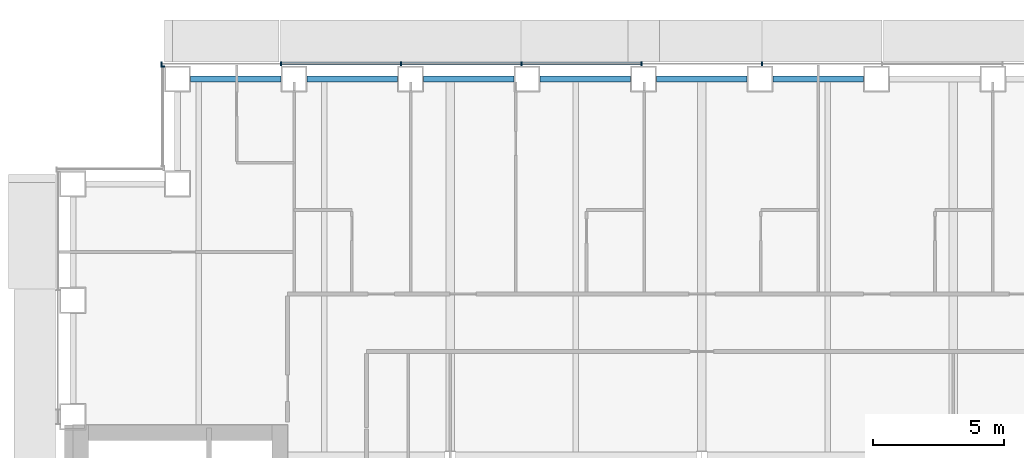
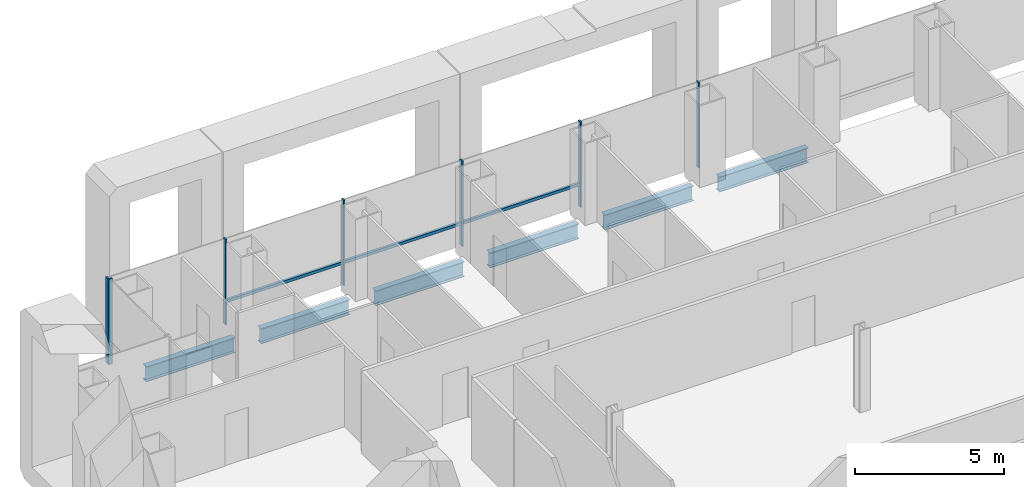
# One storey, part 8 of 25: 10 members, 6 beams, 2 elements without a shape of their own.
"""IFC4 building model written with IfcOpenShell, lengths in metres."""

from ifc_helpers import new_model, si_unit, direction, frame, origin, origin_2d, place, context, subcontext, project, spatial, rectangle, i_section, extrude, material, material_profile, profile_set, type_object, element, aggregate, save


model = new_model("IFC4")

# Units and contexts
model_context = context("Model", 3, precision=1e-05, world=origin(), true_north=direction((0.0, 1.0)))
body_context = subcontext(model_context, "Body", "Model", "MODEL_VIEW")
ifc_project = project(units=[si_unit("LENGTHUNIT", "METRE"), si_unit("AREAUNIT", "SQUARE_METRE"), si_unit("VOLUMEUNIT", "CUBIC_METRE"), si_unit("PLANEANGLEUNIT", "RADIAN"), si_unit("MASSUNIT", "GRAM", prefix="KILO")], contexts=[model_context])

# Site, building, storey
site_placement = place(None, origin())
site = spatial("IfcSite", under=ifc_project, at=site_placement, CompositionType="ELEMENT")
building_placement = place(site_placement, origin())
building = spatial("IfcBuilding", under=site, at=building_placement, Name="Cobrizo Arcos Hotel Tower", CompositionType="ELEMENT")
storey_placement = place(building_placement, frame((0.0, 0.0, 46.0)))
storey = spatial("IfcBuildingStorey", under=building, at=storey_placement, Name="L09", CompositionType="ELEMENT", Elevation=46.0)

# Curtain wall, members
ifc_material_1 = material(Name="Aluminium 6063-T6 anodised bronze", Category="aluminium")
curtain_wall_type = type_object("IfcCurtainWallType", Name="CW-A guest facade", PredefinedType="NOTDEFINED", material=ifc_material_1)
curtain_wall_1_placement = place(storey_placement, origin())
curtain_wall_1 = element("IfcCurtainWall", 1, at=curtain_wall_1_placement, inside=storey, type_object=curtain_wall_type, Name="CW-A L09 N face", PredefinedType="NOTDEFINED")
ifc_material_profile_1 = material_profile(ifc_material_1, rectangle(XDim=0.14990234375, YDim=0.06005859375, at=origin_2d()), Name="CW-A mullion 150x60")
ifc_profile_set_1 = profile_set([ifc_material_profile_1], Name="Aluminium 6063-T6 anodised bronze")
member_type_1 = type_object("IfcMemberType", Name="CW-A mullion 150x60", PredefinedType="MULLION", material=ifc_profile_set_1)
member_1_placement = place(storey_placement, frame((2.29443359375, 24.574951171875, 0.0), z_axis=(0.0, 0.0, 1.0), x_axis=(0.0, 1.0, 0.0)))
member_1 = element("IfcMember", 2, at=member_1_placement, type_object=member_type_1, Name="CW-A mullion 5", PredefinedType="MULLION", context=body_context, shape_type="SweptSolid", body=[
    extrude(rectangle(XDim=0.14990234375, YDim=0.06005859375, at=origin_2d()), origin(), (0.0, 0.0, 1.0), 3.5),
])
member_2_placement = place(storey_placement, frame((-2.29443359375, 24.574951171875, 0.0), z_axis=(0.0, 0.0, 1.0), x_axis=(0.0, 1.0, 0.0)))
member_2 = element("IfcMember", 3, at=member_2_placement, type_object=member_type_1, Name="CW-A mullion 6", PredefinedType="MULLION", context=body_context, shape_type="SweptSolid", body=[
    extrude(rectangle(XDim=0.14990234375, YDim=0.06005859375, at=origin_2d()), origin(), (0.0, 0.0, 1.0), 3.5),
])
member_3_placement = place(storey_placement, frame((-6.88330078125, 24.574951171875, 0.0), z_axis=(0.0, 0.0, 1.0), x_axis=(0.0, 1.0, 0.0)))
member_3 = element("IfcMember", 4, at=member_3_placement, type_object=member_type_1, Name="CW-A mullion 7", PredefinedType="MULLION", context=body_context, shape_type="SweptSolid", body=[
    extrude(rectangle(XDim=0.14990234375, YDim=0.06005859375, at=origin_2d()), origin(), (0.0, 0.0, 1.0), 3.5),
])
member_4_placement = place(storey_placement, frame((-11.47216796875, 24.574951171875, 0.0), z_axis=(0.0, 0.0, 1.0), x_axis=(0.0, 1.0, 0.0)))
member_4 = element("IfcMember", 5, at=member_4_placement, type_object=member_type_1, Name="CW-A mullion 8", PredefinedType="MULLION", context=body_context, shape_type="SweptSolid", body=[
    extrude(rectangle(XDim=0.14990234375, YDim=0.06005859375, at=origin_2d()), origin(), (0.0, 0.0, 1.0), 3.5),
])
member_5_placement = place(storey_placement, frame((-16.06103515625, 24.574951171875, 0.0), z_axis=(0.0, 0.0, 1.0), x_axis=(0.0, 1.0, 0.0)))
member_5 = element("IfcMember", 6, at=member_5_placement, type_object=member_type_1, Name="CW-A mullion 9", PredefinedType="MULLION", context=body_context, shape_type="SweptSolid", body=[
    extrude(rectangle(XDim=0.14990234375, YDim=0.06005859375, at=origin_2d()), origin(), (0.0, 0.0, 1.0), 3.5),
])
member_6_placement = place(storey_placement, frame((-20.6201171875, 24.574951171875, 0.0), z_axis=(0.0, 0.0, 1.0), x_axis=(0.0, 1.0, 0.0)))
member_6 = element("IfcMember", 7, at=member_6_placement, type_object=member_type_1, Name="CW-A mullion 10", PredefinedType="MULLION", context=body_context, shape_type="SweptSolid", body=[
    extrude(rectangle(XDim=0.14990234375, YDim=0.06005859375, at=origin_2d()), origin(), (0.0, 0.0, 1.0), 3.5),
])

# Curtain wall, member
curtain_wall_2_placement = place(storey_placement, origin())
curtain_wall_2 = element("IfcCurtainWall", 8, at=curtain_wall_2_placement, inside=storey, type_object=curtain_wall_type, Name="CW-A L09 W face", PredefinedType="NOTDEFINED")
member_7_placement = place(storey_placement, frame((-20.574951171875, 24.469970703125, 0.0), z_axis=(0.0, 0.0, 1.0), x_axis=(-1.0, 0.0, 0.0)))
member_7 = element("IfcMember", 9, at=member_7_placement, type_object=member_type_1, Name="CW-A mullion 1", PredefinedType="MULLION", context=body_context, shape_type="SweptSolid", body=[
    extrude(rectangle(XDim=0.14990234375, YDim=0.06005859375, at=origin_2d()), origin(), (0.0, 0.0, 1.0), 3.5),
])
aggregate(curtain_wall_2, [member_7])

# Member
ifc_material_profile_2 = material_profile(ifc_material_1, rectangle(XDim=0.10009765625, YDim=0.1201171875, at=origin_2d()), Name="CW-A transom 120x100")
ifc_profile_set_2 = profile_set([ifc_material_profile_2], Name="Aluminium 6063-T6 anodised bronze")
member_type_2 = type_object("IfcMemberType", Name="CW-A transom 120x100", PredefinedType="USERDEFINED", material=ifc_profile_set_2)
member_8_placement = place(storey_placement, frame((-2.324462890625, 24.574951171875, 0.929931640625), z_axis=(-1.0, 0.0, 0.0), x_axis=(0.0, -1.0, 0.0)))
member_8 = element("IfcMember", 10, at=member_8_placement, type_object=member_type_2, Name="CW-A transom 461", ObjectType="TRANSOM", PredefinedType="USERDEFINED", context=body_context, shape_type="SweptSolid", body=[
    extrude(rectangle(XDim=0.10009765625, YDim=0.1201171875, at=origin_2d()), origin(), (0.0, 0.0, 1.0), 4.52880859375),
])

member_9_placement = place(storey_placement, frame((-6.913330078125, 24.574951171875, 0.929931640625), z_axis=(-1.0, 0.0, 0.0), x_axis=(0.0, -1.0, 0.0)))
member_9 = element("IfcMember", 11, at=member_9_placement, type_object=member_type_2, Name="CW-A transom 462", ObjectType="TRANSOM", PredefinedType="USERDEFINED", context=body_context, shape_type="SweptSolid", body=[
    extrude(rectangle(XDim=0.10009765625, YDim=0.1201171875, at=origin_2d()), origin(), (0.0, 0.0, 1.0), 4.52880859375),
])

member_10_placement = place(storey_placement, frame((-11.502197265625, 24.574951171875, 0.929931640625), z_axis=(-1.0, 0.0, 0.0), x_axis=(0.0, -1.0, 0.0)))
member_10 = element("IfcMember", 12, at=member_10_placement, type_object=member_type_2, Name="CW-A transom 463", ObjectType="TRANSOM", PredefinedType="USERDEFINED", context=body_context, shape_type="SweptSolid", body=[
    extrude(rectangle(XDim=0.10009765625, YDim=0.1201171875, at=origin_2d()), origin(), (0.0, 0.0, 1.0), 4.52880859375),
])

aggregate(curtain_wall_1, [member_1, member_2, member_3, member_4, member_5, member_6, member_8, member_9, member_10])

# Beams
ifc_material_2 = material(Name="Steel ASTM A992 Grade 50", Category="steel")
ifc_material_profile_3 = material_profile(ifc_material_2, i_section(OverallWidth=0.23046875, OverallDepth=0.6171875, WebThickness=0.01318359375, FlangeThickness=0.022216796875, at=origin_2d()), Name="W24X94")
ifc_profile_set_3 = profile_set([ifc_material_profile_3], Name="Steel ASTM A992 Grade 50")
beam_type = type_object("IfcBeamType", Name="W24X94 spandrel", PredefinedType="SPANDREL", material=ifc_profile_set_3)
beam_1_placement = place(storey_placement, frame((6.1669921875, 24.0, -0.45849609375), z_axis=(-1.0, 0.0, 0.0), x_axis=(0.0, -1.0, 0.0)))
element("IfcBeam", 13, at=beam_1_placement, inside=storey, type_object=beam_type, Name="Spandrel beam W24X94, L09, no. 021", PredefinedType="SPANDREL", context=body_context, shape_type="SweptSolid", body=[
    extrude(i_section(OverallWidth=0.23046875, OverallDepth=0.6171875, WebThickness=0.01318359375, FlangeThickness=0.022216796875, at=origin_2d()), origin(), (0.0, 0.0, 1.0), 3.445068359375),
])
beam_2_placement = place(storey_placement, frame((1.721923828125, 24.0, -0.45849609375), z_axis=(-1.0, 0.0, 0.0), x_axis=(0.0, -1.0, 0.0)))
element("IfcBeam", 14, at=beam_2_placement, inside=storey, type_object=beam_type, Name="Spandrel beam W24X94, L09, no. 022", PredefinedType="SPANDREL", context=body_context, shape_type="SweptSolid", body=[
    extrude(i_section(OverallWidth=0.23046875, OverallDepth=0.6171875, WebThickness=0.01318359375, FlangeThickness=0.022216796875, at=origin_2d()), origin(), (0.0, 0.0, 1.0), 3.44384765625),
])
beam_3_placement = place(storey_placement, frame((-2.721923828125, 24.0, -0.45849609375), z_axis=(-1.0, 0.0, 0.0), x_axis=(0.0, -1.0, 0.0)))
element("IfcBeam", 15, at=beam_3_placement, inside=storey, type_object=beam_type, Name="Spandrel beam W24X94, L09, no. 023", PredefinedType="SPANDREL", context=body_context, shape_type="SweptSolid", body=[
    extrude(i_section(OverallWidth=0.23046875, OverallDepth=0.6171875, WebThickness=0.01318359375, FlangeThickness=0.022216796875, at=origin_2d()), origin(), (0.0, 0.0, 1.0), 3.445068359375),
])
beam_4_placement = place(storey_placement, frame((-7.1669921875, 24.0, -0.45849609375), z_axis=(-1.0, 0.0, 0.0), x_axis=(0.0, -1.0, 0.0)))
element("IfcBeam", 16, at=beam_4_placement, inside=storey, type_object=beam_type, Name="Spandrel beam W24X94, L09, no. 024", PredefinedType="SPANDREL", context=body_context, shape_type="SweptSolid", body=[
    extrude(i_section(OverallWidth=0.23046875, OverallDepth=0.6171875, WebThickness=0.01318359375, FlangeThickness=0.022216796875, at=origin_2d()), origin(), (0.0, 0.0, 1.0), 3.444091796875),
])
beam_5_placement = place(storey_placement, frame((-11.611083984375, 24.0, -0.45849609375), z_axis=(-1.0, 0.0, 0.0), x_axis=(0.0, -1.0, 0.0)))
element("IfcBeam", 17, at=beam_5_placement, inside=storey, type_object=beam_type, Name="Spandrel beam W24X94, L09, no. 025", PredefinedType="SPANDREL", context=body_context, shape_type="SweptSolid", body=[
    extrude(i_section(OverallWidth=0.23046875, OverallDepth=0.6171875, WebThickness=0.01318359375, FlangeThickness=0.022216796875, at=origin_2d()), origin(), (0.0, 0.0, 1.0), 3.44482421875),
])
beam_6_placement = place(storey_placement, frame((-16.055908203125, 24.0, -0.45849609375), z_axis=(-1.0, 0.0, 0.0), x_axis=(0.0, -1.0, 0.0)))
element("IfcBeam", 18, at=beam_6_placement, inside=storey, type_object=beam_type, Name="Spandrel beam W24X94, L09, no. 026", PredefinedType="SPANDREL", context=body_context, shape_type="SweptSolid", body=[
    extrude(i_section(OverallWidth=0.23046875, OverallDepth=0.6171875, WebThickness=0.01318359375, FlangeThickness=0.022216796875, at=origin_2d()), origin(), (0.0, 0.0, 1.0), 3.444091796875),
])

save(model, "model.ifc")
